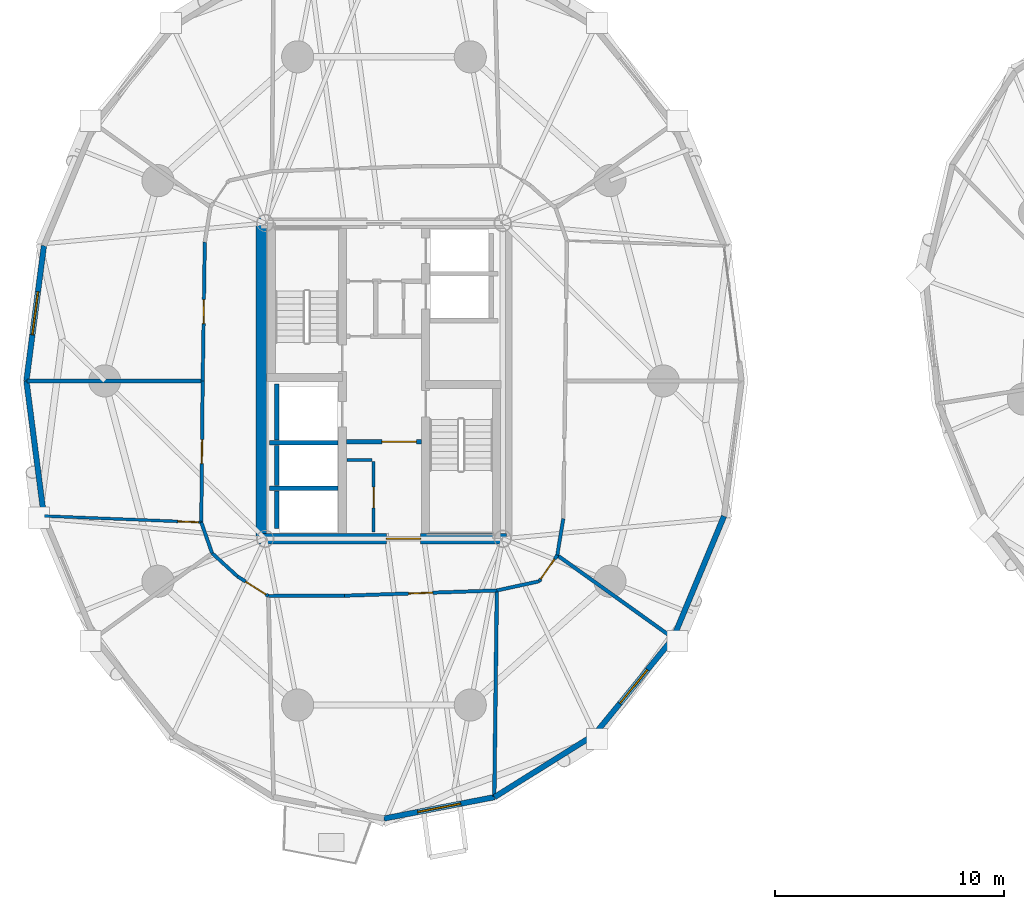
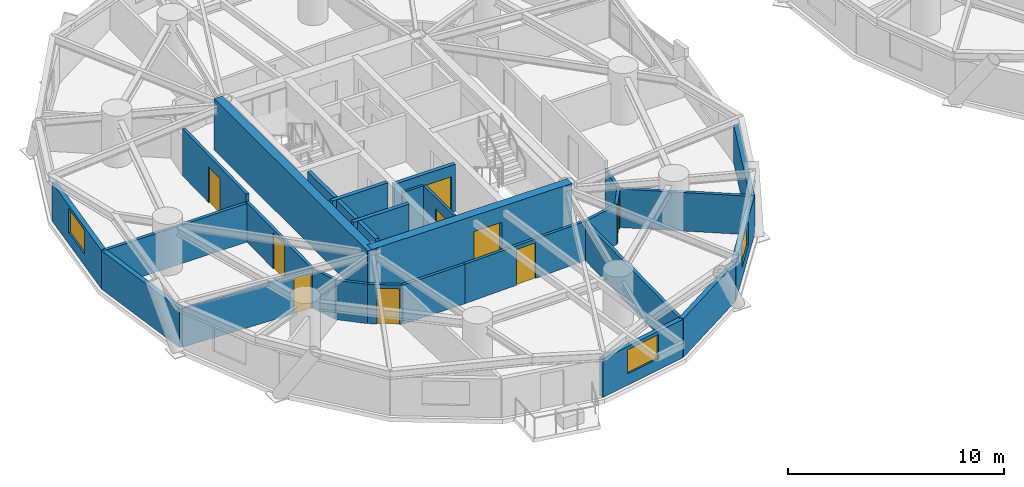
# One storey, part 10 of 19: 30 walls, 9 doors, 3 windows, 12 openings.
"""IFC4 building model written with IfcOpenShell, lengths in metres."""

from ifc_helpers import new_model, si_unit, direction, frame, frame_2d, origin, place, context, subcontext, project, spatial, rectangle, extrude, source, transform, mapped, material, layer, layer_set, type_object, element, fill, save


model = new_model("IFC4")

# Units and contexts
model_context = context("Model", 3, precision=1e-05, world=origin(), true_north=direction((0.0, 1.0)))
body_context = subcontext(model_context, "Body", "Model", "MODEL_VIEW")
ifc_project = project(units=[si_unit("LENGTHUNIT", "METRE"), si_unit("AREAUNIT", "SQUARE_METRE"), si_unit("VOLUMEUNIT", "CUBIC_METRE"), si_unit("PLANEANGLEUNIT", "RADIAN"), si_unit("MASSUNIT", "GRAM", prefix="KILO")], contexts=[model_context])

# Site, building, storey
site_placement = place(None, origin())
site = spatial("IfcSite", under=ifc_project, at=site_placement, CompositionType="ELEMENT")
building_placement = place(site_placement, origin())
building = spatial("IfcBuilding", under=site, at=building_placement, Name="Cununo Teusaquillo Station Towers", CompositionType="ELEMENT")
storey_placement = place(building_placement, frame((0.0, 0.0, 84.699951171875)))
storey = spatial("IfcBuildingStorey", under=building, at=storey_placement, Name="L26", CompositionType="ELEMENT", Elevation=84.699951171875)

# Walls
ifc_material_1 = material(Name="Concrete C50/60", Category="concrete")
ifc_layer_1 = layer(ifc_material_1, 0.199951171875)
ifc_layer_set_1 = layer_set([ifc_layer_1], Name="Concrete C50/60")
wall_type_1 = type_object("IfcWallType", Name="WL-CORE-200", PredefinedType="SHEAR", material=ifc_layer_set_1)
wall_1_placement = place(storey_placement, frame((11.52001953125, 21.800048828125, 0.0), z_axis=(0.0, 0.0, 1.0), x_axis=(1.0, 0.0, 0.0)))
element("IfcWall", 1, at=wall_1_placement, inside=storey, type_object=wall_type_1, Name="L26 Tower A Firefighting Lift Shaft South Shear Wall", PredefinedType="SHEAR", context=body_context, shape_type="SweptSolid", body=[
    extrude(rectangle(XDim=2.969970703125, YDim=0.199951171875, at=frame_2d((1.48486328125, 0.0))), origin(), (0.0, 0.0, 1.0), 2.91015625),
])
wall_2_placement = place(storey_placement, frame((11.820068359375, 21.919921875, 0.0), z_axis=(0.0, 0.0, 1.0), x_axis=(0.0, 1.0, 0.0)))
element("IfcWall", 2, at=wall_2_placement, inside=storey, type_object=wall_type_1, Name="L26 Tower A Firefighting Lift Shaft Rear Shear Wall", PredefinedType="SHEAR", context=body_context, shape_type="SweptSolid", body=[
    extrude(rectangle(XDim=2.440185546875, YDim=0.199951171875, at=frame_2d((1.22021484375, 0.0))), origin(), (0.0, 0.0, 1.0), 2.91015625),
])
wall_3_placement = place(storey_placement, frame((11.52001953125, 19.824951171875, 0.0), z_axis=(0.0, 0.0, 1.0), x_axis=(1.0, 0.0, 0.0)))
element("IfcWall", 3, at=wall_3_placement, inside=storey, type_object=wall_type_1, Name="L26 Tower A High-Rise Lift Hoistway Divider Shear Wall", PredefinedType="SHEAR", context=body_context, shape_type="SweptSolid", body=[
    extrude(rectangle(XDim=2.969970703125, YDim=0.199951171875, at=frame_2d((1.48486328125, 0.0))), origin(), (0.0, 0.0, 1.0), 2.91015625),
])
wall_4_placement = place(storey_placement, frame((11.820068359375, 19.945068359375, 0.0), z_axis=(0.0, 0.0, 1.0), x_axis=(0.0, 1.0, 0.0)))
element("IfcWall", 4, at=wall_4_placement, inside=storey, type_object=wall_type_1, Name="L26 Tower A High-Rise Lift 2 Shaft Rear Shear Wall", PredefinedType="SHEAR", context=body_context, shape_type="SweptSolid", body=[
    extrude(rectangle(XDim=1.73486328125, YDim=0.199951171875, at=frame_2d((0.867431640625, 0.0))), origin(), (0.0, 0.0, 1.0), 2.91015625),
])
wall_5_placement = place(storey_placement, frame((11.820068359375, 18.070068359375, 0.0), z_axis=(0.0, 0.0, 1.0), x_axis=(0.0, 1.0, 0.0)))
element("IfcWall", 5, at=wall_5_placement, inside=storey, type_object=wall_type_1, Name="L26 Tower A High-Rise Lift 1 Shaft Rear Shear Wall", PredefinedType="SHEAR", context=body_context, shape_type="SweptSolid", body=[
    extrude(rectangle(XDim=1.635009765625, YDim=0.199951171875, at=frame_2d((0.8173828125, 0.0))), origin(), (0.0, 0.0, 1.0), 2.91015625),
])
ifc_material_2 = material(Name="Concrete C60/75", Category="concrete")
ifc_layer_2 = layer(ifc_material_2, 0.449951171875)
ifc_layer_set_2 = layer_set([ifc_layer_2], Name="Concrete C60/75")
wall_type_2 = type_object("IfcWallType", Name="WL-CORE-450", PredefinedType="SHEAR", material=ifc_layer_set_2)
wall_6_placement = place(storey_placement, frame((11.14990234375, 17.39990234375, 0.0), z_axis=(0.0, 0.0, 1.0), x_axis=(0.0, 1.0, 0.0)))
element("IfcWall", 6, at=wall_6_placement, inside=storey, type_object=wall_type_2, Name="L26 Tower A Core Shear Wall W", PredefinedType="SHEAR", context=body_context, shape_type="SweptSolid", body=[
    extrude(rectangle(XDim=14.2001953125, YDim=0.449951171875, at=frame_2d((7.10009765625, 0.0))), origin(), (0.0, 0.0, 1.0), 2.91015625),
])

# Wall, opening, door
wall_7_placement = place(storey_placement, frame((11.14990234375, 17.625, 0.0), z_axis=(0.0, 0.0, 1.0), x_axis=(1.0, 0.0, 0.0)))
wall_7 = element("IfcWall", 7, at=wall_7_placement, inside=storey, type_object=wall_type_2, Name="L26 Tower A Core Shear Wall S", PredefinedType="SHEAR", context=body_context, shape_type="SweptSolid", body=[
    extrude(rectangle(XDim=10.7001953125, YDim=0.449951171875, at=frame_2d((5.35009765625, 0.0))), origin(), (0.0, 0.0, 1.0), 2.91015625),
])
shared_shape_1 = source(origin(), body_context, "Body", "SweptSolid", [
    extrude(rectangle(XDim=1.5, YDim=2.02001953125, at=frame_2d((0.75, 1.010009765625))), frame((0.0, 0.23486328125, 0.0), z_axis=(0.0, -1.0, 0.0), x_axis=(1.0, 0.0, 0.0)), (0.0, 0.0, 1.0), 0.469970703125),
])
opening_1_placement = place(wall_7_placement, frame((5.449951171875, 0.0, 0.0)))
opening_1 = element("IfcOpeningElement", 8, at=opening_1_placement, cuts=wall_7, Name="Opening D-LB1", PredefinedType="OPENING", context=body_context, shape_type="MappedRepresentation", body=[
    mapped(shared_shape_1, transform((0.0, 0.0, 0.0), x_axis=(1.0, 0.0, 0.0), y_axis=(0.0, 1.0, 0.0), z_axis=(0.0, 0.0, 1.0), scale=1.0)),
])
ifc_material_3 = material(Name="Galvanised fire-rated hollow steel door assembly", Category="steel")
door_type_1 = type_object("IfcDoorType", Name="DR-LOBBY-1500", OperationType="DOUBLE_DOOR_SINGLE_SWING", PredefinedType="DOOR", material=ifc_material_3)
shared_shape_2 = source(origin(), body_context, "Body", "SweptSolid", [
    extrude(rectangle(XDim=1.5, YDim=2.02001953125, at=frame_2d((0.75, 1.010009765625))), frame((0.0, 0.02490234375, 0.0), z_axis=(0.0, -1.0, 0.0), x_axis=(1.0, 0.0, 0.0)), (0.0, 0.0, 1.0), 0.050048828125),
])
door_1_placement = place(opening_1_placement, origin())
door_1 = element("IfcDoor", 9, at=door_1_placement, inside=storey, type_object=door_type_1, Name="L26 Tower A South Core Lift Lobby Door", OperationType="DOUBLE_DOOR_SINGLE_SWING", OverallHeight=2.02001953125, OverallWidth=1.5, PredefinedType="DOOR", context=body_context, shape_type="MappedRepresentation", body=[
    mapped(shared_shape_2, transform((0.0, 0.0, 0.0), x_axis=(1.0, 0.0, 0.0), y_axis=(0.0, 1.0, 0.0), z_axis=(0.0, 0.0, 1.0), scale=1.0)),
])
fill(opening_1, door_1)

# Wall, opening, window
ifc_material_4 = material(Name="Precast concrete C40/50", Category="concrete")
ifc_layer_3 = layer(ifc_material_4, 0.239990234375)
ifc_layer_set_3 = layer_set([ifc_layer_3], Name="Precast concrete C40/50")
wall_type_3 = type_object("IfcWallType", Name="WL-EXT-240", PredefinedType="SOLIDWALL", material=ifc_layer_set_3)
wall_8_placement = place(storey_placement, frame((0.9189453125, 24.5, 0.0), z_axis=(0.0, 0.0, 1.0), x_axis=(0.128351991996, 0.991728675672, 0.0)))
wall_8 = element("IfcWall", 10, at=wall_8_placement, inside=storey, type_object=wall_type_3, Name="L26 Tower A Exterior Facade Wall C09", PredefinedType="SOLIDWALL", context=body_context, shape_type="SweptSolid", body=[
    extrude(rectangle(XDim=5.942138671875, YDim=0.239990234375, at=frame_2d((2.97119140625, 0.0))), origin(), (0.0, 0.0, 1.0), 2.178955078125),
])
shared_shape_3 = source(origin(), body_context, "Body", "SweptSolid", [
    extrude(rectangle(XDim=1.89990234375, YDim=1.35009765625, at=frame_2d((0.949951171875, 0.675048828125))), frame((0.0, 0.1298828125, 0.0), z_axis=(0.0, -1.0, 0.0), x_axis=(1.0, 0.0, 0.0)), (0.0, 0.0, 1.0), 0.260009765625),
])
opening_2_placement = place(wall_8_placement, frame((2.02099609375, 0.0, 0.64990234375)))
opening_2 = element("IfcOpeningElement", 11, at=opening_2_placement, cuts=wall_8, Name="Opening WN-02", PredefinedType="OPENING", context=body_context, shape_type="MappedRepresentation", body=[
    mapped(shared_shape_3, transform((0.0, 0.0, 0.0), x_axis=(1.0, 0.0, 0.0), y_axis=(0.0, 1.0, 0.0), z_axis=(0.0, 0.0, 1.0), scale=1.0)),
])
ifc_material_5 = material(Name="Operable acoustic tinted low-E double glazing", Category="glass")
window_type = type_object("IfcWindowType", Name="WIN-OPER-1900", PartitioningType="DOUBLE_PANEL_VERTICAL", PredefinedType="WINDOW", material=ifc_material_5)
shared_shape_4 = source(origin(), body_context, "Body", "SweptSolid", [
    extrude(rectangle(XDim=1.89990234375, YDim=1.35009765625, at=frame_2d((0.949951171875, 0.675048828125))), frame((0.0, 0.030029296875, 0.0), z_axis=(0.0, -1.0, 0.0), x_axis=(1.0, 0.0, 0.0)), (0.0, 0.0, 1.0), 0.06005859375),
])
window_1_placement = place(opening_2_placement, origin())
window_1 = element("IfcWindow", 12, at=window_1_placement, inside=storey, type_object=window_type, Name="L26 Tower A Facade Window C09", OverallHeight=1.35009765625, OverallWidth=1.89990234375, PartitioningType="DOUBLE_PANEL_VERTICAL", PredefinedType="WINDOW", context=body_context, shape_type="MappedRepresentation", body=[
    mapped(shared_shape_4, transform((0.0, 0.0, 0.0), x_axis=(1.0, 0.0, 0.0), y_axis=(0.0, 1.0, 0.0), z_axis=(0.0, 0.0, 1.0), scale=1.0)),
])
fill(opening_2, window_1)

# Wall
wall_9_placement = place(storey_placement, frame((1.681640625, 18.60693359375, 0.0), z_axis=(0.0, 0.0, 1.0), x_axis=(-0.128351991996, 0.991728675672, 0.0)))
element("IfcWall", 13, at=wall_9_placement, inside=storey, type_object=wall_type_3, Name="L26 Tower A Exterior Facade Wall C10", PredefinedType="SOLIDWALL", context=body_context, shape_type="SweptSolid", body=[
    extrude(rectangle(XDim=5.942138671875, YDim=0.239990234375, at=frame_2d((2.97119140625, 0.0))), origin(), (0.0, 0.0, 1.0), 2.178955078125),
])

# Wall, opening, window
wall_10_placement = place(storey_placement, frame((21.314697265625, 6.36328125, 0.0), z_axis=(0.0, 0.0, 1.0), x_axis=(-0.981723785992, -0.190311344954, 0.0)))
wall_10 = element("IfcWall", 14, at=wall_10_placement, inside=storey, type_object=wall_type_3, Name="L26 Tower A Exterior Facade Wall C15", PredefinedType="SOLIDWALL", context=body_context, shape_type="SweptSolid", body=[
    extrude(rectangle(XDim=4.904296875, YDim=0.239990234375, at=frame_2d((2.4521484375, 0.0))), origin(), (0.0, 0.0, 1.0), 2.178955078125),
])
opening_3_placement = place(wall_10_placement, frame((1.501953125, 0.0, 0.64990234375)))
opening_3 = element("IfcOpeningElement", 15, at=opening_3_placement, cuts=wall_10, Name="Opening WN-02", PredefinedType="OPENING", context=body_context, shape_type="MappedRepresentation", body=[
    mapped(shared_shape_3, transform((0.0, 0.0, 0.0), x_axis=(1.0, 0.0, 0.0), y_axis=(0.0, 1.0, 0.0), z_axis=(0.0, 0.0, 1.0), scale=1.0)),
])
window_2_placement = place(opening_3_placement, origin())
window_2 = element("IfcWindow", 16, at=window_2_placement, inside=storey, type_object=window_type, Name="L26 Tower A Facade Window C15", OverallHeight=1.35009765625, OverallWidth=1.89990234375, PartitioningType="DOUBLE_PANEL_VERTICAL", PredefinedType="WINDOW", context=body_context, shape_type="MappedRepresentation", body=[
    mapped(shared_shape_4, transform((0.0, 0.0, 0.0), x_axis=(1.0, 0.0, 0.0), y_axis=(0.0, 1.0, 0.0), z_axis=(0.0, 0.0, 1.0), scale=1.0)),
])
fill(opening_3, window_2)

# Wall
wall_11_placement = place(storey_placement, frame((25.658203125, 9.072021484375, 0.0), z_axis=(0.0, 0.0, 1.0), x_axis=(-0.848520380187, -0.529162701263, 0.0)))
element("IfcWall", 17, at=wall_11_placement, inside=storey, type_object=wall_type_3, Name="L26 Tower A Exterior Facade Wall C16", PredefinedType="SOLIDWALL", context=body_context, shape_type="SweptSolid", body=[
    extrude(rectangle(XDim=5.118896484375, YDim=0.239990234375, at=frame_2d((2.5595703125, 0.0))), origin(), (0.0, 0.0, 1.0), 2.178955078125),
])

# Wall, opening, window
wall_12_placement = place(storey_placement, frame((29.105224609375, 13.291015625, 0.0), z_axis=(0.0, 0.0, 1.0), x_axis=(-0.632700781152, -0.77439635945, 0.0)))
wall_12 = element("IfcWall", 18, at=wall_12_placement, inside=storey, type_object=wall_type_3, Name="L26 Tower A Exterior Facade Wall C17", PredefinedType="SOLIDWALL", context=body_context, shape_type="SweptSolid", body=[
    extrude(rectangle(XDim=5.447998046875, YDim=0.239990234375, at=frame_2d((2.72412109375, 0.0))), origin(), (0.0, 0.0, 1.0), 2.178955078125),
])
opening_4_placement = place(wall_12_placement, frame((1.77392578125, 0.0, 0.64990234375)))
opening_4 = element("IfcOpeningElement", 19, at=opening_4_placement, cuts=wall_12, Name="Opening WN-02", PredefinedType="OPENING", context=body_context, shape_type="MappedRepresentation", body=[
    mapped(shared_shape_3, transform((0.0, 0.0, 0.0), x_axis=(1.0, 0.0, 0.0), y_axis=(0.0, 1.0, 0.0), z_axis=(0.0, 0.0, 1.0), scale=1.0)),
])
window_3_placement = place(opening_4_placement, origin())
window_3 = element("IfcWindow", 20, at=window_3_placement, inside=storey, type_object=window_type, Name="L26 Tower A Facade Window C17", OverallHeight=1.35009765625, OverallWidth=1.89990234375, PartitioningType="DOUBLE_PANEL_VERTICAL", PredefinedType="WINDOW", context=body_context, shape_type="MappedRepresentation", body=[
    mapped(shared_shape_4, transform((0.0, 0.0, 0.0), x_axis=(1.0, 0.0, 0.0), y_axis=(0.0, 1.0, 0.0), z_axis=(0.0, 0.0, 1.0), scale=1.0)),
])
fill(opening_4, window_3)

# Wall
wall_13_placement = place(storey_placement, frame((31.318359375, 18.60693359375, 0.0), z_axis=(0.0, 0.0, 1.0), x_axis=(-0.384344417632, -0.923189779317, 0.0)))
element("IfcWall", 21, at=wall_13_placement, inside=storey, type_object=wall_type_3, Name="L26 Tower A Exterior Facade Wall C18", PredefinedType="SOLIDWALL", context=body_context, shape_type="SweptSolid", body=[
    extrude(rectangle(XDim=5.75830078125, YDim=0.239990234375, at=frame_2d((2.879150390625, 0.0))), origin(), (0.0, 0.0, 1.0), 2.178955078125),
])

# Wall, opening, door
ifc_material_6 = material(Name="Fire-rated gypsum plasterboard partition assembly", Category="gypsum")
ifc_layer_4 = layer(ifc_material_6, 0.125)
ifc_layer_set_4 = layer_set([ifc_layer_4], Name="Fire-rated gypsum plasterboard partition assembly")
wall_type_4 = type_object("IfcWallType", Name="WL-PART-125", PredefinedType="PARTITIONING", material=ifc_layer_set_4)
wall_14_placement = place(storey_placement, frame((16.050048828125, 17.919921875, 0.0), z_axis=(0.0, 0.0, 1.0), x_axis=(0.0, 1.0, 0.0)))
wall_14 = element("IfcWall", 22, at=wall_14_placement, inside=storey, type_object=wall_type_4, Name="L26 Tower A South-West Tall Store East Wall", PredefinedType="PARTITIONING", context=body_context, shape_type="SweptSolid", body=[
    extrude(rectangle(XDim=3.080078125, YDim=0.125, at=frame_2d((1.5400390625, 0.0))), origin(), (0.0, 0.0, 1.0), 2.655029296875),
])
shared_shape_5 = source(origin(), body_context, "Body", "SweptSolid", [
    extrude(rectangle(XDim=0.89990234375, YDim=2.0048828125, at=frame_2d((0.449951171875, 1.00244140625))), frame((0.0, 0.072509765625, 0.0), z_axis=(0.0, -1.0, 0.0), x_axis=(1.0, 0.0, 0.0)), (0.0, 0.0, 1.0), 0.14501953125),
])
opening_5_placement = place(wall_14_placement, frame((1.050048828125, 0.0, 0.0)))
opening_5 = element("IfcOpeningElement", 23, at=opening_5_placement, cuts=wall_14, Name="Opening D-SR1", PredefinedType="OPENING", context=body_context, shape_type="MappedRepresentation", body=[
    mapped(shared_shape_5, transform((0.0, 0.0, 0.0), x_axis=(1.0, 0.0, 0.0), y_axis=(0.0, 1.0, 0.0), z_axis=(0.0, 0.0, 1.0), scale=1.0)),
])
ifc_material_7 = material(Name="Galvanised fire-rated hollow steel door assembly", Category="steel")
door_type_2 = type_object("IfcDoorType", Name="DR-STORE-900", OperationType="NOTDEFINED", PredefinedType="DOOR", material=ifc_material_7)
shared_shape_6 = source(origin(), body_context, "Body", "SweptSolid", [
    extrude(rectangle(XDim=0.89990234375, YDim=2.0048828125, at=frame_2d((0.449951171875, 1.00244140625))), frame((0.0, 0.02490234375, 0.0), z_axis=(0.0, -1.0, 0.0), x_axis=(1.0, 0.0, 0.0)), (0.0, 0.0, 1.0), 0.050048828125),
])
door_2_placement = place(opening_5_placement, origin())
door_2 = element("IfcDoor", 24, at=door_2_placement, inside=storey, type_object=door_type_2, Name="L26 Tower A South Cleaners Store Door", OperationType="SINGLE_SWING_LEFT", OverallHeight=2.0048828125, OverallWidth=0.89990234375, PredefinedType="DOOR", context=body_context, shape_type="MappedRepresentation", body=[
    mapped(shared_shape_6, transform((0.0, 0.0, 0.0), x_axis=(1.0, 0.0, 0.0), y_axis=(0.0, 1.0, 0.0), z_axis=(0.0, 0.0, 1.0), scale=1.0)),
])
fill(opening_5, door_2)

# Wall
wall_15_placement = place(storey_placement, frame((14.8798828125, 21.050048828125, 0.0), z_axis=(0.0, 0.0, 1.0), x_axis=(1.0, 0.0, 0.0)))
element("IfcWall", 25, at=wall_15_placement, inside=storey, type_object=wall_type_4, Name="L26 Tower A South-West Tall Store North Wall", PredefinedType="PARTITIONING", context=body_context, shape_type="SweptSolid", body=[
    extrude(rectangle(XDim=1.10009765625, YDim=0.125, at=frame_2d((0.550048828125, 0.0))), origin(), (0.0, 0.0, 1.0), 2.655029296875),
])

# Wall, opening, door
wall_16_placement = place(storey_placement, frame((8.538330078125, 18.338134765625, 0.0), z_axis=(0.0, 0.0, 1.0), x_axis=(-0.999191355531, 0.04020740021, 0.0)))
wall_16 = element("IfcWall", 26, at=wall_16_placement, inside=storey, type_object=wall_type_4, Name="L26 Tower A Managing Partner Corner Chambers Suite Subdividing Wall", PredefinedType="PARTITIONING", context=body_context, shape_type="SweptSolid", body=[
    extrude(rectangle(XDim=6.84326171875, YDim=0.125, at=frame_2d((3.421630859375, 0.0))), origin(), (0.0, 0.0, 1.0), 2.178955078125),
])
opening_6_placement = place(wall_16_placement, frame((0.1201171875, 0.0, 0.0)))
opening_6 = element("IfcOpeningElement", 27, at=opening_6_placement, cuts=wall_16, Name="Opening D-IN1", PredefinedType="OPENING", context=body_context, shape_type="MappedRepresentation", body=[
    mapped(shared_shape_5, transform((0.0, 0.0, 0.0), x_axis=(1.0, 0.0, 0.0), y_axis=(0.0, 1.0, 0.0), z_axis=(0.0, 0.0, 1.0), scale=1.0)),
])
ifc_material_8 = material(Name="Acoustic solid-core hardwood leaf assembly", Category="wood")
door_type_3 = type_object("IfcDoorType", Name="DR-INT-900", OperationType="NOTDEFINED", PredefinedType="DOOR", material=ifc_material_8)
door_3_placement = place(opening_6_placement, origin())
door_3 = element("IfcDoor", 28, at=door_3_placement, inside=storey, type_object=door_type_3, Name="L26 Tower A Managing Partner Corner Chambers Suite Connecting Door", OperationType="SINGLE_SWING_LEFT", OverallHeight=2.0048828125, OverallWidth=0.89990234375, PredefinedType="DOOR", context=body_context, shape_type="MappedRepresentation", body=[
    mapped(shared_shape_6, transform((0.0, 0.0, 0.0), x_axis=(1.0, 0.0, 0.0), y_axis=(0.0, 1.0, 0.0), z_axis=(0.0, 0.0, 1.0), scale=1.0)),
])
fill(opening_6, door_3)

ifc_material_9 = material(Name="Fire-rated gypsum plasterboard partition assembly", Category="gypsum")
ifc_layer_5 = layer(ifc_material_9, 0.14990234375)
ifc_layer_set_5 = layer_set([ifc_layer_5], Name="Fire-rated gypsum plasterboard partition assembly")
wall_type_5 = type_object("IfcWallType", Name="WL-PART-150", PredefinedType="PARTITIONING", material=ifc_layer_set_5)
wall_17_placement = place(storey_placement, frame((8.692626953125, 30.544189453125, 0.0), z_axis=(0.0, 0.0, 1.0), x_axis=(-0.015307007986, -0.99988284089, 0.0)))
wall_17 = element("IfcWall", 29, at=wall_17_placement, inside=storey, type_object=wall_type_5, Name="L26 Tower A Corridor Ring Wall C09", PredefinedType="PARTITIONING", context=body_context, shape_type="SweptSolid", body=[
    extrude(rectangle(XDim=6.044921875, YDim=0.14990234375, at=frame_2d((3.0224609375, 0.0))), origin(), (0.0, 0.0, 1.0), 2.655029296875),
])
shared_shape_7 = source(origin(), body_context, "Body", "SweptSolid", [
    extrude(rectangle(XDim=1.050048828125, YDim=2.014892578125, at=frame_2d((0.52490234375, 1.00732421875))), frame((0.0, 0.0849609375, 0.0), z_axis=(0.0, -1.0, 0.0), x_axis=(1.0, 0.0, 0.0)), (0.0, 0.0, 1.0), 0.169921875),
])
opening_7_placement = place(wall_17_placement, frame((2.497314453125, 0.0, 0.0)))
opening_7 = element("IfcOpeningElement", 30, at=opening_7_placement, cuts=wall_17, Name="Opening D-SU1", PredefinedType="OPENING", context=body_context, shape_type="MappedRepresentation", body=[
    mapped(shared_shape_7, transform((0.0, 0.0, 0.0), x_axis=(1.0, 0.0, 0.0), y_axis=(0.0, 1.0, 0.0), z_axis=(0.0, 0.0, 1.0), scale=1.0)),
])
ifc_material_10 = material(Name="Acoustic solid-core hardwood leaf assembly", Category="wood")
door_type_4 = type_object("IfcDoorType", Name="DR-SUITE-1050", OperationType="NOTDEFINED", PredefinedType="DOOR", material=ifc_material_10)
shared_shape_8 = source(origin(), body_context, "Body", "SweptSolid", [
    extrude(rectangle(XDim=1.050048828125, YDim=2.014892578125, at=frame_2d((0.52490234375, 1.00732421875))), frame((0.0, 0.02490234375, 0.0), z_axis=(0.0, -1.0, 0.0), x_axis=(1.0, 0.0, 0.0)), (0.0, 0.0, 1.0), 0.050048828125),
])
door_4_placement = place(opening_7_placement, origin())
door_4 = element("IfcDoor", 31, at=door_4_placement, inside=storey, type_object=door_type_4, Name="L26 Tower A Paralegal Casework Office Entrance Door", OperationType="SINGLE_SWING_LEFT", OverallHeight=2.014892578125, OverallWidth=1.050048828125, PredefinedType="DOOR", context=body_context, shape_type="MappedRepresentation", body=[
    mapped(shared_shape_8, transform((0.0, 0.0, 0.0), x_axis=(1.0, 0.0, 0.0), y_axis=(0.0, 1.0, 0.0), z_axis=(0.0, 0.0, 1.0), scale=1.0)),
])
fill(opening_7, door_4)

wall_18_placement = place(storey_placement, frame((8.60009765625, 24.5, 0.0), z_axis=(0.0, 0.0, 1.0), x_axis=(-0.010023665349, -0.999949761805, 0.0)))
wall_18 = element("IfcWall", 32, at=wall_18_placement, inside=storey, type_object=wall_type_5, Name="L26 Tower A Corridor Ring Wall C10", PredefinedType="PARTITIONING", context=body_context, shape_type="SweptSolid", body=[
    extrude(rectangle(XDim=6.162109375, YDim=0.14990234375, at=frame_2d((3.0810546875, 0.0))), origin(), (0.0, 0.0, 1.0), 2.22509765625),
])
opening_8_placement = place(wall_18_placement, frame((2.55615234375, 0.0, 0.0)))
opening_8 = element("IfcOpeningElement", 33, at=opening_8_placement, cuts=wall_18, Name="Opening D-SU1", PredefinedType="OPENING", context=body_context, shape_type="MappedRepresentation", body=[
    mapped(shared_shape_7, transform((0.0, 0.0, 0.0), x_axis=(1.0, 0.0, 0.0), y_axis=(0.0, 1.0, 0.0), z_axis=(0.0, 0.0, 1.0), scale=1.0)),
])
door_5_placement = place(opening_8_placement, origin())
door_5 = element("IfcDoor", 34, at=door_5_placement, inside=storey, type_object=door_type_4, Name="L26 Tower A Managing Partner Corner Chambers Entrance Door", OperationType="SINGLE_SWING_RIGHT", OverallHeight=2.014892578125, OverallWidth=1.050048828125, PredefinedType="DOOR", context=body_context, shape_type="MappedRepresentation", body=[
    mapped(shared_shape_8, transform((0.0, 0.0, 0.0), x_axis=(1.0, 0.0, 0.0), y_axis=(0.0, 1.0, 0.0), z_axis=(0.0, 0.0, 1.0), scale=1.0)),
])
fill(opening_8, door_5)

# Walls
wall_19_placement = place(storey_placement, frame((8.538330078125, 18.338134765625, 0.0), z_axis=(0.0, 0.0, 1.0), x_axis=(0.331358150167, -0.94350504838, 0.0)))
element("IfcWall", 35, at=wall_19_placement, inside=storey, type_object=wall_type_5, Name="L26 Tower A Corridor Ring Wall C11", PredefinedType="PARTITIONING", context=body_context, shape_type="SweptSolid", body=[
    extrude(rectangle(XDim=1.42431640625, YDim=0.14990234375, at=frame_2d((0.712158203125, 0.0))), origin(), (0.0, 0.0, 1.0), 2.22509765625),
])
wall_20_placement = place(storey_placement, frame((9.01025390625, 16.994384765625, 0.0), z_axis=(0.0, 0.0, 1.0), x_axis=(0.737701798986, -0.67512669609, 0.0)))
element("IfcWall", 36, at=wall_20_placement, inside=storey, type_object=wall_type_5, Name="L26 Tower A Corridor Ring Wall C12", PredefinedType="PARTITIONING", context=body_context, shape_type="SweptSolid", body=[
    extrude(rectangle(XDim=1.498291015625, YDim=0.14990234375, at=frame_2d((0.7490234375, 0.0))), origin(), (0.0, 0.0, 1.0), 2.22509765625),
])

# Wall, opening, door
wall_21_placement = place(storey_placement, frame((10.115478515625, 15.98291015625, 0.0), z_axis=(0.0, 0.0, 1.0), x_axis=(0.843995849351, -0.536349705209, 0.0)))
wall_21 = element("IfcWall", 37, at=wall_21_placement, inside=storey, type_object=wall_type_5, Name="L26 Tower A Corridor Ring Wall C13", PredefinedType="PARTITIONING", context=body_context, shape_type="SweptSolid", body=[
    extrude(rectangle(XDim=1.5927734375, YDim=0.14990234375, at=frame_2d((0.79638671875, 0.0))), origin(), (0.0, 0.0, 1.0), 2.22509765625),
])
opening_9_placement = place(wall_21_placement, frame((0.422607421875, 0.0, 0.0)))
opening_9 = element("IfcOpeningElement", 38, at=opening_9_placement, cuts=wall_21, Name="Opening D-SU1", PredefinedType="OPENING", context=body_context, shape_type="MappedRepresentation", body=[
    mapped(shared_shape_7, transform((0.0, 0.0, 0.0), x_axis=(1.0, 0.0, 0.0), y_axis=(0.0, 1.0, 0.0), z_axis=(0.0, 0.0, 1.0), scale=1.0)),
])
door_6_placement = place(opening_9_placement, origin())
door_6 = element("IfcDoor", 39, at=door_6_placement, inside=storey, type_object=door_type_4, Name="L26 Tower A Video Deposition Conference Room Entrance Door", OperationType="SINGLE_SWING_RIGHT", OverallHeight=2.014892578125, OverallWidth=1.050048828125, PredefinedType="DOOR", context=body_context, shape_type="MappedRepresentation", body=[
    mapped(shared_shape_8, transform((0.0, 0.0, 0.0), x_axis=(1.0, 0.0, 0.0), y_axis=(0.0, 1.0, 0.0), z_axis=(0.0, 0.0, 1.0), scale=1.0)),
])
fill(opening_9, door_6)

# Wall
wall_22_placement = place(storey_placement, frame((11.459716796875, 15.128662109375, 0.0), z_axis=(0.0, 0.0, 1.0), x_axis=(0.999993513287, 0.003601858435, 0.0)))
element("IfcWall", 40, at=wall_22_placement, inside=storey, type_object=wall_type_5, Name="L26 Tower A Corridor Ring Wall C14", PredefinedType="PARTITIONING", context=body_context, shape_type="SweptSolid", body=[
    extrude(rectangle(XDim=3.3212890625, YDim=0.14990234375, at=frame_2d((1.66064453125, 0.0))), origin(), (0.0, 0.0, 1.0), 2.22509765625),
])

# Wall, opening, door
wall_23_placement = place(storey_placement, frame((14.781005859375, 15.140625, 0.0), z_axis=(0.0, 0.0, 1.0), x_axis=(0.999407918707, 0.034406569513, 0.0)))
wall_23 = element("IfcWall", 41, at=wall_23_placement, inside=storey, type_object=wall_type_5, Name="L26 Tower A Corridor Ring Wall C15", PredefinedType="PARTITIONING", context=body_context, shape_type="SweptSolid", body=[
    extrude(rectangle(XDim=6.6416015625, YDim=0.14990234375, at=frame_2d((3.32080078125, 0.0))), origin(), (0.0, 0.0, 1.0), 2.22509765625),
])
opening_10_placement = place(wall_23_placement, frame((2.7958984375, 0.0, 0.0)))
opening_10 = element("IfcOpeningElement", 42, at=opening_10_placement, cuts=wall_23, Name="Opening D-SU1", PredefinedType="OPENING", context=body_context, shape_type="MappedRepresentation", body=[
    mapped(shared_shape_7, transform((0.0, 0.0, 0.0), x_axis=(1.0, 0.0, 0.0), y_axis=(0.0, 1.0, 0.0), z_axis=(0.0, 0.0, 1.0), scale=1.0)),
])
door_7_placement = place(opening_10_placement, origin())
door_7 = element("IfcDoor", 43, at=door_7_placement, inside=storey, type_object=door_type_4, Name="L26 Tower A Client Hospitality Pantry Entrance Door", OperationType="SINGLE_SWING_LEFT", OverallHeight=2.014892578125, OverallWidth=1.050048828125, PredefinedType="DOOR", context=body_context, shape_type="MappedRepresentation", body=[
    mapped(shared_shape_8, transform((0.0, 0.0, 0.0), x_axis=(1.0, 0.0, 0.0), y_axis=(0.0, 1.0, 0.0), z_axis=(0.0, 0.0, 1.0), scale=1.0)),
])
fill(opening_10, door_7)

# Wall
wall_24_placement = place(storey_placement, frame((21.418701171875, 15.369140625, 0.0), z_axis=(0.0, 0.0, 1.0), x_axis=(0.977192701953, 0.212354475464, 0.0)))
element("IfcWall", 44, at=wall_24_placement, inside=storey, type_object=wall_type_5, Name="L26 Tower A Corridor Ring Wall C16", PredefinedType="PARTITIONING", context=body_context, shape_type="SweptSolid", body=[
    extrude(rectangle(XDim=1.8876953125, YDim=0.14990234375, at=frame_2d((0.94384765625, 0.0))), origin(), (0.0, 0.0, 1.0), 2.22509765625),
])

# Wall, opening, door
wall_25_placement = place(storey_placement, frame((23.263427734375, 15.77001953125, 0.0), z_axis=(0.0, 0.0, 1.0), x_axis=(0.570743456919, 0.821128434768, 0.0)))
wall_25 = element("IfcWall", 45, at=wall_25_placement, inside=storey, type_object=wall_type_5, Name="L26 Tower A Corridor Ring Wall C17", PredefinedType="PARTITIONING", context=body_context, shape_type="SweptSolid", body=[
    extrude(rectangle(XDim=1.381591796875, YDim=0.14990234375, at=frame_2d((0.69091796875, 0.0))), origin(), (0.0, 0.0, 1.0), 2.22509765625),
])
opening_11_placement = place(wall_25_placement, frame((0.1201171875, 0.0, 0.0)))
opening_11 = element("IfcOpeningElement", 46, at=opening_11_placement, cuts=wall_25, Name="Opening D-SU1", PredefinedType="OPENING", context=body_context, shape_type="MappedRepresentation", body=[
    mapped(shared_shape_7, transform((0.0, 0.0, 0.0), x_axis=(1.0, 0.0, 0.0), y_axis=(0.0, 1.0, 0.0), z_axis=(0.0, 0.0, 1.0), scale=1.0)),
])
door_8_placement = place(opening_11_placement, origin())
door_8 = element("IfcDoor", 47, at=door_8_placement, inside=storey, type_object=door_type_4, Name="L26 Tower A Document Archive & Server Room Entrance Door", OperationType="SINGLE_SWING_RIGHT", OverallHeight=2.014892578125, OverallWidth=1.050048828125, PredefinedType="DOOR", context=body_context, shape_type="MappedRepresentation", body=[
    mapped(shared_shape_8, transform((0.0, 0.0, 0.0), x_axis=(1.0, 0.0, 0.0), y_axis=(0.0, 1.0, 0.0), z_axis=(0.0, 0.0, 1.0), scale=1.0)),
])
fill(opening_11, door_8)

# Walls
wall_26_placement = place(storey_placement, frame((24.052001953125, 16.904541015625, 0.0), z_axis=(0.0, 0.0, 1.0), x_axis=(0.162091534225, 0.986775726562, 0.0)))
element("IfcWall", 48, at=wall_26_placement, inside=storey, type_object=wall_type_5, Name="L26 Tower A Corridor Ring Wall C18", PredefinedType="PARTITIONING", context=body_context, shape_type="SweptSolid", body=[
    extrude(rectangle(XDim=1.613037109375, YDim=0.14990234375, at=frame_2d((0.806640625, 0.0))), origin(), (0.0, 0.0, 1.0), 2.22509765625),
])
ifc_material_11 = material(Name="Fire-rated gypsum plasterboard partition assembly", Category="gypsum")
ifc_layer_6 = layer(ifc_material_11, 0.159912109375)
ifc_layer_set_6 = layer_set([ifc_layer_6], Name="Fire-rated gypsum plasterboard partition assembly")
wall_type_6 = type_object("IfcWallType", Name="WL-PART-160", PredefinedType="PARTITIONING", material=ifc_layer_set_6)
wall_27_placement = place(storey_placement, frame((8.60009765625, 24.5, 0.0), z_axis=(0.0, 0.0, 1.0), x_axis=(-1.0, 0.0, 0.0)))
element("IfcWall", 49, at=wall_27_placement, inside=storey, type_object=wall_type_6, Name="L26 Tower A Radial Suite Partition R06", PredefinedType="PARTITIONING", context=body_context, shape_type="SweptSolid", body=[
    extrude(rectangle(XDim=7.6611328125, YDim=0.159912109375, at=frame_2d((3.83056640625, 0.0))), origin(), (0.0, 0.0, 1.0), 2.178955078125),
])
wall_28_placement = place(storey_placement, frame((21.418701171875, 15.369140625, 0.0), z_axis=(0.0, 0.0, 1.0), x_axis=(-0.012251185903, -0.999924951406, 0.0)))
element("IfcWall", 50, at=wall_28_placement, inside=storey, type_object=wall_type_6, Name="L26 Tower A Radial Suite Partition R09", PredefinedType="PARTITIONING", context=body_context, shape_type="SweptSolid", body=[
    extrude(rectangle(XDim=8.987548828125, YDim=0.159912109375, at=frame_2d((4.49365234375, 0.0))), origin(), (0.0, 0.0, 1.0), 2.178955078125),
])
wall_29_placement = place(storey_placement, frame((24.052001953125, 16.904541015625, 0.0), z_axis=(0.0, 0.0, 1.0), x_axis=(0.813437670746, -0.581652091727, 0.0)))
element("IfcWall", 51, at=wall_29_placement, inside=storey, type_object=wall_type_6, Name="L26 Tower A Radial Suite Partition R10", PredefinedType="PARTITIONING", context=body_context, shape_type="SweptSolid", body=[
    extrude(rectangle(XDim=6.1923828125, YDim=0.159912109375, at=frame_2d((3.09619140625, 0.0))), origin(), (0.0, 0.0, 1.0), 2.178955078125),
])

# Wall, opening, door
ifc_material_12 = material(Name="Fire-rated gypsum plasterboard partition assembly", Category="gypsum")
ifc_layer_7 = layer(ifc_material_12, 0.199951171875)
ifc_layer_set_7 = layer_set([ifc_layer_7], Name="Fire-rated gypsum plasterboard partition assembly")
wall_type_7 = type_object("IfcWallType", Name="WL-PART-200", PredefinedType="PARTITIONING", material=ifc_layer_set_7)
wall_30_placement = place(storey_placement, frame((14.860107421875, 21.85009765625, 0.0), z_axis=(0.0, 0.0, 1.0), x_axis=(1.0, 0.0, 0.0)))
wall_30 = element("IfcWall", 52, at=wall_30_placement, inside=storey, type_object=wall_type_7, Name="L26 Tower A Firefighting Lift Lobby South Fire Wall", PredefinedType="PARTITIONING", context=body_context, shape_type="SweptSolid", body=[
    extrude(rectangle(XDim=3.27978515625, YDim=0.199951171875, at=frame_2d((1.639892578125, 0.0))), origin(), (0.0, 0.0, 1.0), 2.655029296875),
])
shared_shape_9 = source(origin(), body_context, "Body", "SweptSolid", [
    extrude(rectangle(XDim=1.5, YDim=2.02001953125, at=frame_2d((0.75, 1.010009765625))), frame((0.0, 0.10986328125, 0.0), z_axis=(0.0, -1.0, 0.0), x_axis=(1.0, 0.0, 0.0)), (0.0, 0.0, 1.0), 0.219970703125),
])
opening_12_placement = place(wall_30_placement, frame((1.550048828125, 0.0, 0.0)))
opening_12 = element("IfcOpeningElement", 53, at=opening_12_placement, cuts=wall_30, Name="Opening D-LB1", PredefinedType="OPENING", context=body_context, shape_type="MappedRepresentation", body=[
    mapped(shared_shape_9, transform((0.0, 0.0, 0.0), x_axis=(1.0, 0.0, 0.0), y_axis=(0.0, 1.0, 0.0), z_axis=(0.0, 0.0, 1.0), scale=1.0)),
])
door_9_placement = place(opening_12_placement, origin())
door_9 = element("IfcDoor", 54, at=door_9_placement, inside=storey, type_object=door_type_1, Name="L26 Tower A Firefighting Lift Lobby South Fire Door", OperationType="DOUBLE_DOOR_SINGLE_SWING", OverallHeight=2.02001953125, OverallWidth=1.5, PredefinedType="DOOR", context=body_context, shape_type="MappedRepresentation", body=[
    mapped(shared_shape_2, transform((0.0, 0.0, 0.0), x_axis=(1.0, 0.0, 0.0), y_axis=(0.0, 1.0, 0.0), z_axis=(0.0, 0.0, 1.0), scale=1.0)),
])
fill(opening_12, door_9)

save(model, "model.ifc")
